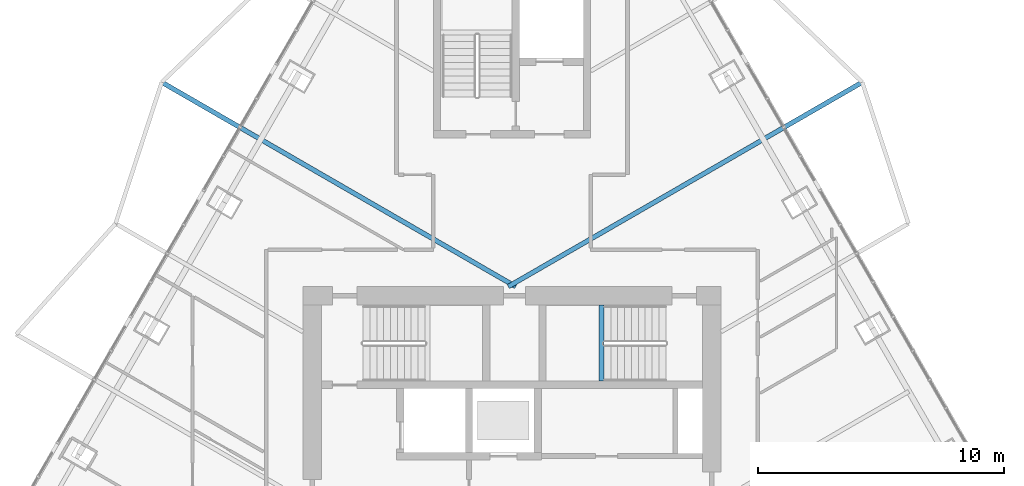
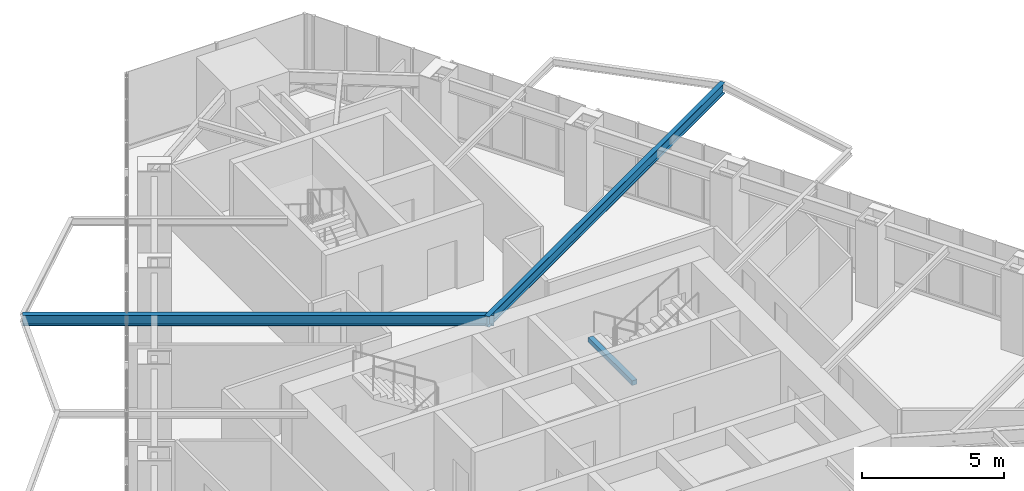
# One storey, part 6 of 19: 3 beams.
"""IFC4 building model written with IfcOpenShell, lengths in metres."""

from ifc_helpers import new_model, si_unit, direction, frame, origin, origin_2d, place, context, subcontext, project, spatial, rectangle, i_section, extrude, material, material_profile, profile_set, type_object, element, save


model = new_model("IFC4")

# Units and contexts
model_context = context("Model", 3, precision=1e-05, world=origin(), true_north=direction((0.0, 1.0)))
body_context = subcontext(model_context, "Body", "Model", "MODEL_VIEW")
ifc_project = project(units=[si_unit("LENGTHUNIT", "METRE"), si_unit("AREAUNIT", "SQUARE_METRE"), si_unit("VOLUMEUNIT", "CUBIC_METRE"), si_unit("PLANEANGLEUNIT", "RADIAN"), si_unit("MASSUNIT", "GRAM", prefix="KILO")], contexts=[model_context])

# Site, building, storey
site_placement = place(None, origin())
site = spatial("IfcSite", under=ifc_project, at=site_placement, CompositionType="ELEMENT")
building_placement = place(site_placement, origin())
building = spatial("IfcBuilding", under=site, at=building_placement, Name="Firuza Gate Tower and Library", CompositionType="ELEMENT")
storey_placement = place(building_placement, frame((0.0, 0.0, 316.10009765625)))
storey = spatial("IfcBuildingStorey", under=building, at=storey_placement, Name="L77", CompositionType="ELEMENT", Elevation=316.10009765625)

# Beams
ifc_material_1 = material(Name="Concrete C35/45", Category="concrete")
ifc_material_profile_1 = material_profile(ifc_material_1, rectangle(XDim=0.199951171875, YDim=0.199951171875, at=origin_2d()))
ifc_profile_set_1 = profile_set([ifc_material_profile_1], Name="Concrete C35/45")
beam_type_1 = type_object("IfcBeamType", Name="Stair landing bearer 200x200", PredefinedType="BEAM", material=ifc_profile_set_1)
beam_placement = place(storey_placement, frame((78.639892578125, 81.0, 1.449951171875), z_axis=(0.0, -1.0, 0.0), x_axis=(1.0, 0.0, 0.0)))
element("IfcBeam", 1, at=beam_placement, inside=storey, type_object=beam_type_1, Name="Landing bearer L77 stair 2", PredefinedType="BEAM", context=body_context, shape_type="SweptSolid", body=[
    extrude(rectangle(XDim=0.199951171875, YDim=0.199951171875, at=origin_2d()), origin(), (0.0, 0.0, 1.0), 3.10009765625),
])
ifc_material_2 = material(Name="Steel S355", Category="steel")
ifc_material_profile_2 = material_profile(ifc_material_2, i_section(OverallWidth=0.18994140625, OverallDepth=0.45703125, WebThickness=0.009033203125, FlangeThickness=0.014404296875, at=origin_2d()))
ifc_profile_set_2 = profile_set([ifc_material_profile_2], Name="Steel S355")
beam_type_2 = type_object("IfcBeamType", Name="W460x74 Floor beam", PredefinedType="JOIST", material=ifc_profile_set_2)
for number, where, z_axis, x_axis, name in (
    (2, (89.24755859375, 90.061767578125, 3.0712890625), (-0.866022944715, -0.50000425921, 0.0), (0.50000425921, -0.866022944715, 0.0), "Floor beam L77 s53"),
    (3, (60.75244140625, 90.061767578125, 3.0712890625), (0.866022944715, -0.50000425921, 0.0), (0.50000425921, 0.866022944715, 0.0), "Floor beam L77 s81"),
):
    element("IfcBeam", number, at=place(storey_placement, frame(where, z_axis=z_axis, x_axis=x_axis)), inside=storey, type_object=beam_type_2, Name=name, PredefinedType="JOIST", context=body_context, shape_type="SweptSolid", body=[
        extrude(i_section(OverallWidth=0.18994140625, OverallDepth=0.45703125, WebThickness=0.009033203125, FlangeThickness=0.014404296875, at=origin_2d()), origin(), (0.0, 0.0, 1.0), 16.623291015625),
    ])

save(model, "model.ifc")
